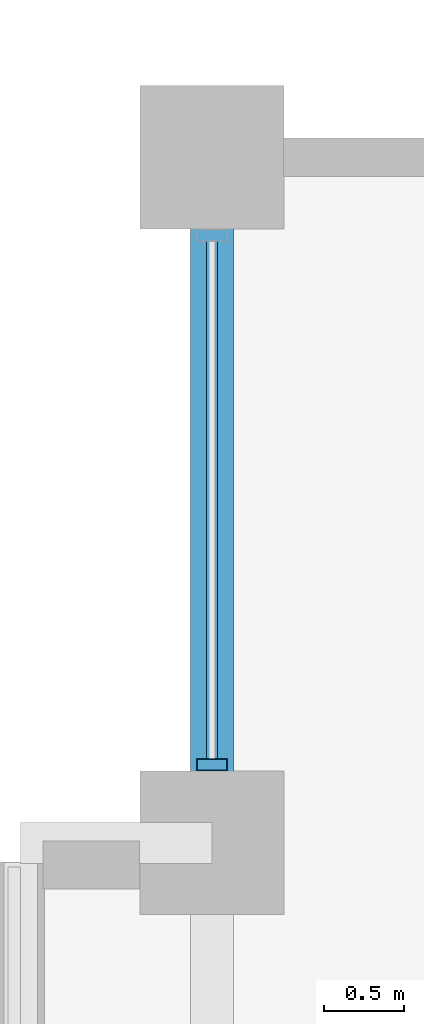
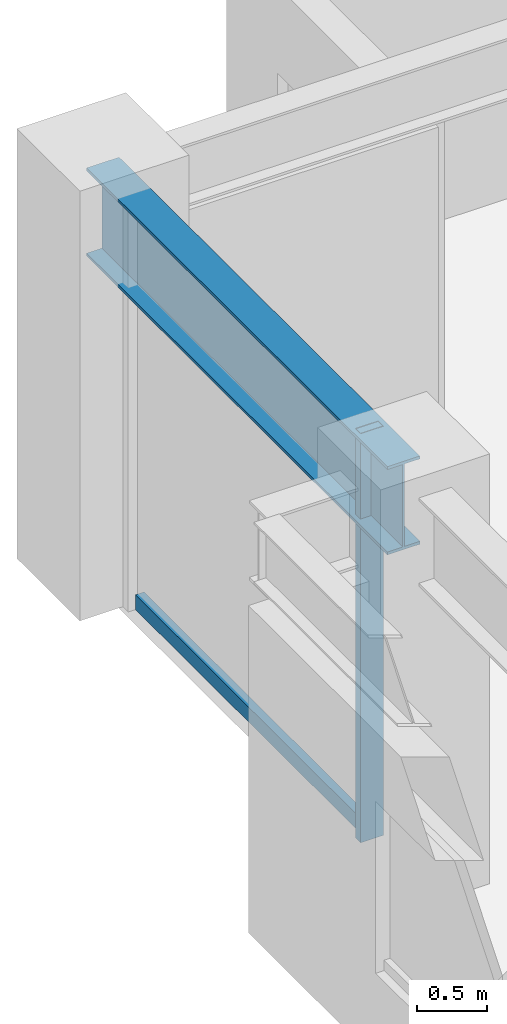
# One storey, part 16 of 32: 2 members, 1 beam, 1 element without a shape of its own.
"""IFC4 building model written with IfcOpenShell, lengths in metres."""

from ifc_helpers import new_model, si_unit, direction, frame, origin, origin_2d, place, context, subcontext, project, spatial, hollow_rectangle, i_section, extrude, material, layer, layer_set, material_profile, profile_set, type_object, element, aggregate, save


model = new_model("IFC4")

# Units and contexts
model_context = context("Model", 3, precision=1e-05, world=origin(), true_north=direction((0.0, 1.0)))
body_context = subcontext(model_context, "Body", "Model", "MODEL_VIEW")
ifc_project = project(units=[si_unit("LENGTHUNIT", "METRE"), si_unit("AREAUNIT", "SQUARE_METRE"), si_unit("VOLUMEUNIT", "CUBIC_METRE"), si_unit("PLANEANGLEUNIT", "RADIAN"), si_unit("MASSUNIT", "GRAM", prefix="KILO")], contexts=[model_context])

# Site, building, storey
site_placement = place(None, origin())
site = spatial("IfcSite", under=ifc_project, at=site_placement, CompositionType="ELEMENT")
building_placement = place(site_placement, origin())
building = spatial("IfcBuilding", under=site, at=building_placement, Name="Surkhivell Harbour Commons", CompositionType="ELEMENT")
storey_placement = place(building_placement, frame((0.0, 0.0, 186.0)))
storey = spatial("IfcBuildingStorey", under=building, at=storey_placement, Name="L48", CompositionType="ELEMENT", Elevation=186.0)

# Beam
ifc_material_1 = material(Name="Steel S355", Category="steel")
ifc_material_profile_1 = material_profile(ifc_material_1, i_section(OverallWidth=0.26806640625, OverallDepth=0.77001953125, WebThickness=0.015625, FlangeThickness=0.025390625, at=origin_2d()), Name="UB762x267x197")
ifc_profile_set_1 = profile_set([ifc_material_profile_1], Name="Steel S355")
beam_type = type_object("IfcBeamType", Name="BM-SPN-762", PredefinedType="SPANDREL", material=ifc_profile_set_1)
beam_placement = place(storey_placement, frame((-27.0, 16.199951171875, 3.18505859375), z_axis=(0.0, 1.0, 0.0), x_axis=(-1.0, 0.0, 0.0)))
element("IfcBeam", 1, at=beam_placement, inside=storey, type_object=beam_type, Name="L48 Tube Spandrel (-27.0,16.2)", PredefinedType="SPANDREL", context=body_context, shape_type="SweptSolid", body=[
    extrude(i_section(OverallWidth=0.26806640625, OverallDepth=0.77001953125, WebThickness=0.015625, FlangeThickness=0.025390625, at=origin_2d()), origin(), (0.0, 0.0, 1.0), 4.300048828125),
])

# Curtain wall, members
ifc_material_2 = material(Name="Anodised pale-metal aluminium and insulated glazing", Category="aluminium")
ifc_layer = layer(ifc_material_2, 0.18994140625)
ifc_layer_set = layer_set([ifc_layer], Name="Anodised pale-metal aluminium and insulated glazing")
curtain_wall_type = type_object("IfcCurtainWallType", Name="CW-SYS-Z3", PredefinedType="NOTDEFINED", material=ifc_layer_set)
curtain_wall_placement = place(storey_placement, origin())
curtain_wall = element("IfcCurtainWall", 2, at=curtain_wall_placement, inside=storey, type_object=curtain_wall_type, Name="L48 Curtain Wall CW-L48-E12R2", PredefinedType="NOTDEFINED")
ifc_material_3 = material(Name="Anodised pale-metal aluminium alloy 6063-T6", Category="aluminium")
ifc_material_profile_2 = material_profile(ifc_material_3, hollow_rectangle(XDim=0.074951171875, YDim=0.18994140625, WallThickness=0.00390625, at=origin_2d()), Name="ALU-MULL-75x190")
ifc_profile_set_2 = profile_set([ifc_material_profile_2], Name="Anodised pale-metal aluminium alloy 6063-T6")
member_type_1 = type_object("IfcMemberType", Name="CWM-190", PredefinedType="MULLION", material=ifc_profile_set_2)
member_1_placement = place(storey_placement, frame((-27.0, 16.689453125, 0.0), z_axis=(0.0, 0.0, 1.0), x_axis=(0.0, 1.0, 0.0)))
member_1 = element("IfcMember", 3, at=member_1_placement, type_object=member_type_1, Name="CW-Z3 mullion 1", PredefinedType="MULLION", context=body_context, shape_type="SweptSolid", body=[
    extrude(hollow_rectangle(XDim=0.074951171875, YDim=0.18994140625, WallThickness=0.00390625, at=origin_2d()), origin(), (0.0, 0.0, 1.0), 3.570068359375),
])
ifc_material_4 = material(Name="Champagne anodised aluminium alloy 6063-T6", Category="aluminium")
ifc_material_profile_3 = material_profile(ifc_material_4, hollow_rectangle(XDim=0.070068359375, YDim=0.1298828125, WallThickness=0.00341796875, at=origin_2d()), Name="ALU-TRAN-70x130")
ifc_profile_set_3 = profile_set([ifc_material_profile_3], Name="Champagne anodised aluminium alloy 6063-T6")
member_type_2 = type_object("IfcMemberType", Name="CWT-130", PredefinedType="USERDEFINED", material=ifc_profile_set_3)
member_2_placement = place(storey_placement, frame((-27.0, 16.72705078125, 0.06494140625), z_axis=(0.0, 1.0, 0.0), x_axis=(-1.0, 0.0, 0.0)))
member_2 = element("IfcMember", 4, at=member_2_placement, type_object=member_type_2, Name="CW-Z3 transom 1.1", ObjectType="TRANSOM", PredefinedType="USERDEFINED", context=body_context, shape_type="SweptSolid", body=[
    extrude(hollow_rectangle(XDim=0.070068359375, YDim=0.1298828125, WallThickness=0.00341796875, at=origin_2d()), origin(), (0.0, 0.0, 1.0), 3.245849609375),
])
aggregate(curtain_wall, [member_1, member_2])

save(model, "model.ifc")
